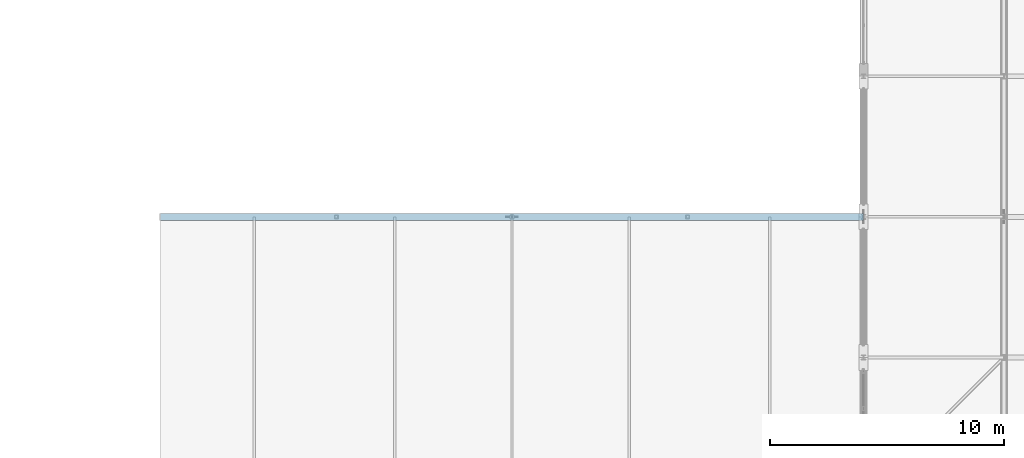
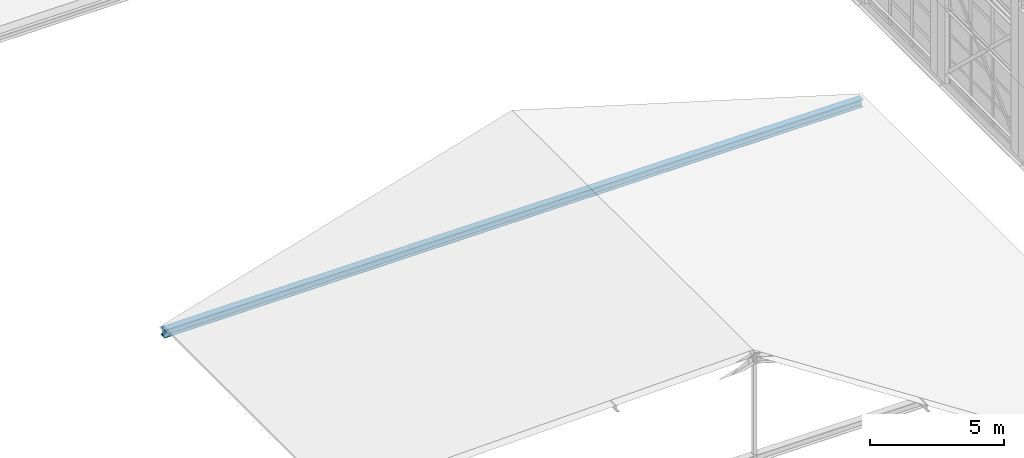
# One storey, part 66 of 204: 1 member.
"""IFC4 building model written with IfcOpenShell, lengths in metres."""

from ifc_helpers import new_model, si_unit, direction, frame, origin, origin_2d, place, context, subcontext, project, spatial, i_section, extrude, material, material_profile, profile_set, type_object, element, save


model = new_model("IFC4")

# Units and contexts
model_context = context("Model", 3, precision=1e-05, world=origin(), true_north=direction((0.0, 1.0)))
body_context = subcontext(model_context, "Body", "Model", "MODEL_VIEW")
ifc_project = project(units=[si_unit("LENGTHUNIT", "METRE"), si_unit("AREAUNIT", "SQUARE_METRE"), si_unit("VOLUMEUNIT", "CUBIC_METRE"), si_unit("PLANEANGLEUNIT", "RADIAN"), si_unit("MASSUNIT", "GRAM", prefix="KILO")], contexts=[model_context])

# Site, building, storey
site_placement = place(None, origin())
site = spatial("IfcSite", under=ifc_project, at=site_placement, CompositionType="ELEMENT")
building_placement = place(site_placement, origin())
building = spatial("IfcBuilding", under=site, at=building_placement, Name="Zilviju Railside Exhibition Hall", CompositionType="ELEMENT")
storey_placement = place(building_placement, frame((0.0, 0.0, 21.0)))
storey = spatial("IfcBuildingStorey", under=building, at=storey_placement, Name="RF", CompositionType="ELEMENT", Elevation=21.0)

# Member
ifc_material = material(Name="Steel S355J2", Category="steel")
ifc_material_profile = material_profile(ifc_material, i_section(OverallWidth=0.300048828125, OverallDepth=0.35009765625, WebThickness=0.010009765625, FlangeThickness=0.017578125, at=origin_2d()), Name="HEA 360")
ifc_profile_set = profile_set([ifc_material_profile], Name="Steel S355J2")
member_type = type_object("IfcMemberType", Name="TR-CH-HEA360", PredefinedType="CHORD", material=ifc_profile_set)
member_placement = place(storey_placement, frame((48.0, 120.0, -8.39990234375), z_axis=(1.0, 0.0, 0.0), x_axis=(0.0, 1.0, 0.0)))
element("IfcMember", 1, at=member_placement, inside=storey, type_object=member_type, Name="Concourse Saddle Tie Chord Y=120.0", PredefinedType="CHORD", context=body_context, shape_type="SweptSolid", body=[
    extrude(i_section(OverallWidth=0.300048828125, OverallDepth=0.35009765625, WebThickness=0.010009765625, FlangeThickness=0.017578125, at=origin_2d()), origin(), (0.0, 0.0, 1.0), 30.0),
])

save(model, "model.ifc")
